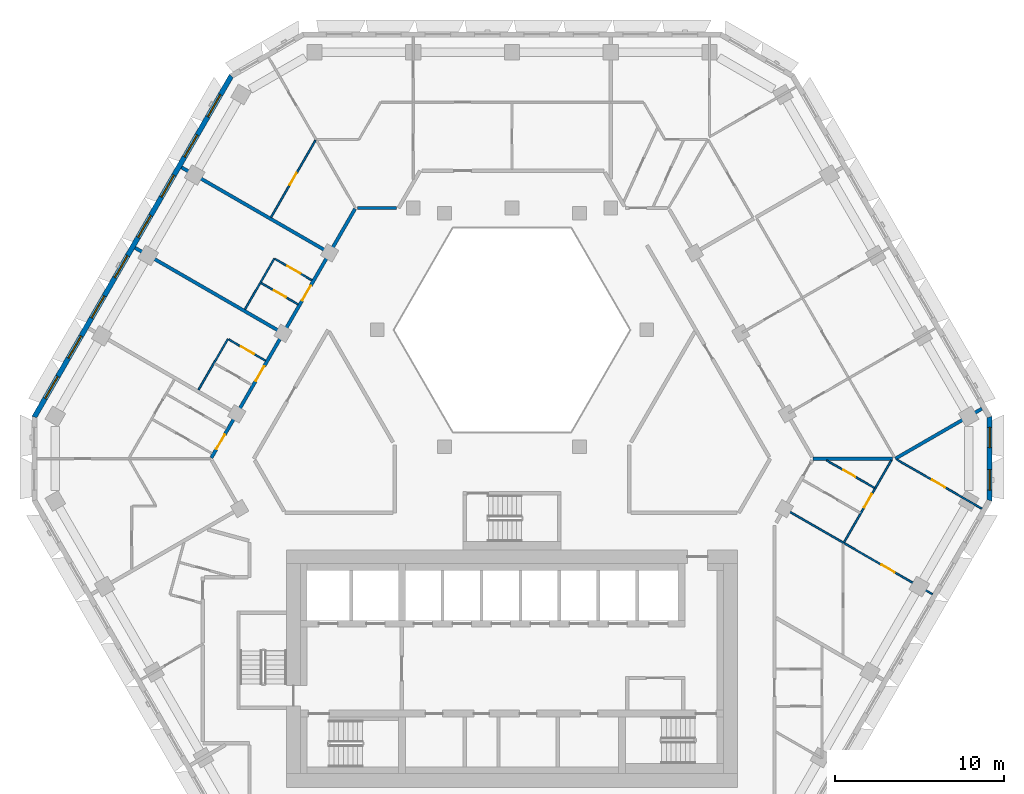
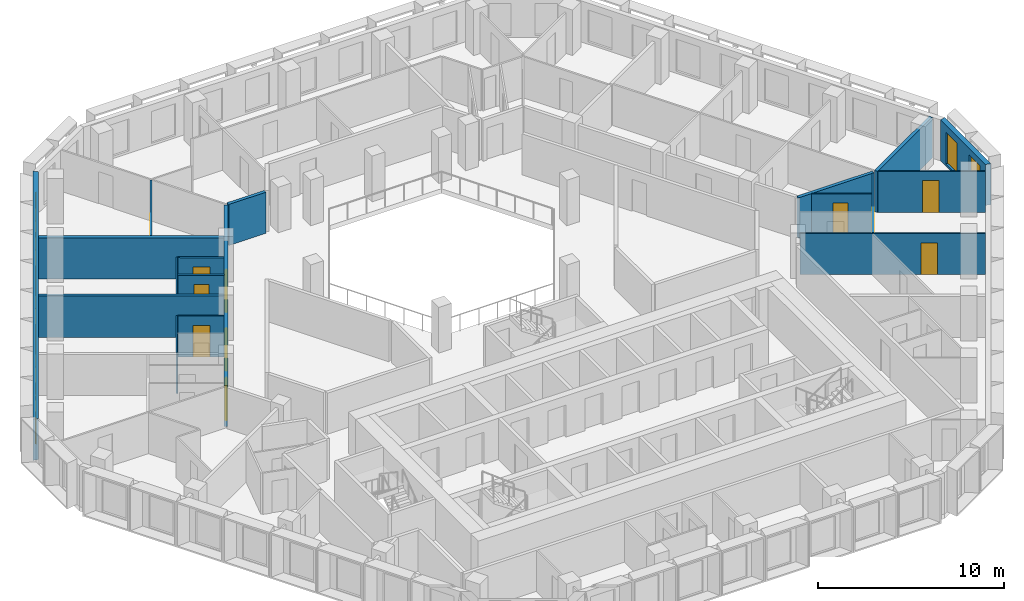
# One storey, part 7 of 17: 18 walls, 11 doors, 10 windows, 21 openings.
"""IFC4 building model written with IfcOpenShell, lengths in metres."""

from ifc_helpers import new_model, si_unit, direction, frame, frame_2d, origin, place, context, subcontext, project, spatial, polyline, rectangle, outline, extrude, material, layer, layer_set, type_object, element, fill, save


model = new_model("IFC4")

# Units and contexts
model_context = context("Model", 3, precision=1e-05, world=origin(), true_north=direction((0.0, 1.0)))
body_context = subcontext(model_context, "Body", "Model", "MODEL_VIEW")
ifc_project = project(units=[si_unit("LENGTHUNIT", "METRE"), si_unit("AREAUNIT", "SQUARE_METRE"), si_unit("VOLUMEUNIT", "CUBIC_METRE"), si_unit("PLANEANGLEUNIT", "RADIAN"), si_unit("MASSUNIT", "GRAM", prefix="KILO")], contexts=[model_context])

# Site, building, storey
site_placement = place(None, origin())
site = spatial("IfcSite", under=ifc_project, at=site_placement, CompositionType="ELEMENT")
building_placement = place(site_placement, origin())
building = spatial("IfcBuilding", under=site, at=building_placement, Name="Beryl Residences", CompositionType="ELEMENT")
storey_placement = place(building_placement, frame((0.0, 0.0, 126.60009765625)))
storey = spatial("IfcBuildingStorey", under=building, at=storey_placement, Name="L38", CompositionType="ELEMENT", Elevation=126.60009765625)

# Wall, openings, windows
ifc_material_1 = material(Name="Composite metal panel with mineral wool insulation")
ifc_layer_1 = layer(ifc_material_1, 0.300048828125)
ifc_layer_set_1 = layer_set([ifc_layer_1], Name="ES1 pale metal composite panel wall 300 mm")
wall_type_1 = type_object("IfcWallType", Name="ES1 pale metal composite panel wall 300 mm", PredefinedType="SOLIDWALL", material=ifc_layer_set_1)
wall_1_placement = place(storey_placement, frame((-16.554931640625, 23.02490234375, 0.0), z_axis=(0.0, 0.0, 1.0), x_axis=(-0.500020536353, -0.866013546791, 0.0)))
wall_1 = element("IfcWall", 1, at=wall_1_placement, inside=storey, type_object=wall_type_1, Name="ES1 external wall L38 NW", PredefinedType="SOLIDWALL", context=body_context, shape_type="SweptSolid", body=[
    extrude(outline(polyline([(0.0, -0.14990234375), (23.3251953125, -0.14990234375), (23.244873046875, 0.14990234375), (0.080322265625, 0.14990234375), (0.0, -0.14990234375)])), origin(), (0.0, 0.0, 1.0), 2.699951171875),
])
opening_1_placement = place(wall_1_placement, frame((1.31396484375, 0.0, 0.14990234375)))
opening_1 = element("IfcOpeningElement", 2, at=opening_1_placement, cuts=wall_1, Name="Opening W1", PredefinedType="OPENING", context=body_context, shape_type="SweptSolid", body=[
    extrude(rectangle(XDim=1.5, YDim=2.10009765625, at=frame_2d((0.75, 1.050048828125))), frame((0.0, 0.159912109375, 0.0), z_axis=(0.0, -1.0, 0.0), x_axis=(1.0, 0.0, 0.0)), (0.0, 0.0, 1.0), 0.320068359375),
])
opening_2_placement = place(wall_1_placement, frame((4.055908203125, 0.0, 0.14990234375)))
opening_2 = element("IfcOpeningElement", 3, at=opening_2_placement, cuts=wall_1, Name="Opening W1", PredefinedType="OPENING", context=body_context, shape_type="SweptSolid", body=[
    extrude(rectangle(XDim=1.5, YDim=2.10009765625, at=frame_2d((0.75, 1.050048828125))), frame((0.0, 0.159912109375, 0.0), z_axis=(0.0, -1.0, 0.0), x_axis=(1.0, 0.0, 0.0)), (0.0, 0.0, 1.0), 0.320068359375),
])
opening_3_placement = place(wall_1_placement, frame((6.799072265625, 0.0, 0.14990234375)))
opening_3 = element("IfcOpeningElement", 4, at=opening_3_placement, cuts=wall_1, Name="Opening W1", PredefinedType="OPENING", context=body_context, shape_type="SweptSolid", body=[
    extrude(rectangle(XDim=1.5, YDim=2.10009765625, at=frame_2d((0.75, 1.050048828125))), frame((0.0, 0.159912109375, 0.0), z_axis=(0.0, -1.0, 0.0), x_axis=(1.0, 0.0, 0.0)), (0.0, 0.0, 1.0), 0.320068359375),
])
opening_4_placement = place(wall_1_placement, frame((9.541015625, 0.0, 0.14990234375)))
opening_4 = element("IfcOpeningElement", 5, at=opening_4_placement, cuts=wall_1, Name="Opening W1", PredefinedType="OPENING", context=body_context, shape_type="SweptSolid", body=[
    extrude(rectangle(XDim=1.5, YDim=2.10009765625, at=frame_2d((0.75, 1.050048828125))), frame((0.0, 0.159912109375, 0.0), z_axis=(0.0, -1.0, 0.0), x_axis=(1.0, 0.0, 0.0)), (0.0, 0.0, 1.0), 0.320068359375),
])
opening_5_placement = place(wall_1_placement, frame((12.284912109375, 0.0, 0.14990234375)))
opening_5 = element("IfcOpeningElement", 6, at=opening_5_placement, cuts=wall_1, Name="Opening W1", PredefinedType="OPENING", context=body_context, shape_type="SweptSolid", body=[
    extrude(rectangle(XDim=1.5, YDim=2.10009765625, at=frame_2d((0.75, 1.050048828125))), frame((0.0, 0.159912109375, 0.0), z_axis=(0.0, -1.0, 0.0), x_axis=(1.0, 0.0, 0.0)), (0.0, 0.0, 1.0), 0.320068359375),
])
opening_6_placement = place(wall_1_placement, frame((15.027099609375, 0.0, 0.14990234375)))
opening_6 = element("IfcOpeningElement", 7, at=opening_6_placement, cuts=wall_1, Name="Opening W1", PredefinedType="OPENING", context=body_context, shape_type="SweptSolid", body=[
    extrude(rectangle(XDim=1.5, YDim=2.10009765625, at=frame_2d((0.75, 1.050048828125))), frame((0.0, 0.159912109375, 0.0), z_axis=(0.0, -1.0, 0.0), x_axis=(1.0, 0.0, 0.0)), (0.0, 0.0, 1.0), 0.320068359375),
])
opening_7_placement = place(wall_1_placement, frame((17.76904296875, 0.0, 0.14990234375)))
opening_7 = element("IfcOpeningElement", 8, at=opening_7_placement, cuts=wall_1, Name="Opening W1", PredefinedType="OPENING", context=body_context, shape_type="SweptSolid", body=[
    extrude(rectangle(XDim=1.5, YDim=2.10009765625, at=frame_2d((0.75, 1.050048828125))), frame((0.0, 0.159912109375, 0.0), z_axis=(0.0, -1.0, 0.0), x_axis=(1.0, 0.0, 0.0)), (0.0, 0.0, 1.0), 0.320068359375),
])
opening_8_placement = place(wall_1_placement, frame((20.511962890625, 0.0, 0.14990234375)))
opening_8 = element("IfcOpeningElement", 9, at=opening_8_placement, cuts=wall_1, Name="Opening W1", PredefinedType="OPENING", context=body_context, shape_type="SweptSolid", body=[
    extrude(rectangle(XDim=1.5, YDim=2.10009765625, at=frame_2d((0.75, 1.050048828125))), frame((0.0, 0.159912109375, 0.0), z_axis=(0.0, -1.0, 0.0), x_axis=(1.0, 0.0, 0.0)), (0.0, 0.0, 1.0), 0.320068359375),
])
ifc_material_2 = material(Name="Aluminium and clear glass", Category="aluminium")
window_type_1 = type_object("IfcWindowType", Name="W1 cell window 1500 x 2100 mm", PartitioningType="SINGLE_PANEL", PredefinedType="WINDOW", material=ifc_material_2)
window_1_placement = place(opening_1_placement, origin())
window_1 = element("IfcWindow", 10, at=window_1_placement, inside=storey, type_object=window_type_1, Name="W1 window L38 NW 1", OverallHeight=2.10009765625, OverallWidth=1.5, PartitioningType="SINGLE_PANEL", PredefinedType="WINDOW", context=body_context, shape_type="SweptSolid", body=[
    extrude(rectangle(XDim=1.5, YDim=2.10009765625, at=frame_2d((0.75, 1.050048828125))), frame((0.0, 0.030029296875, 0.0), z_axis=(0.0, -1.0, 0.0), x_axis=(1.0, 0.0, 0.0)), (0.0, 0.0, 1.0), 0.06005859375),
])
fill(opening_1, window_1)
window_2_placement = place(opening_2_placement, origin())
window_2 = element("IfcWindow", 11, at=window_2_placement, inside=storey, type_object=window_type_1, Name="W1 window L38 NW 2", OverallHeight=2.10009765625, OverallWidth=1.5, PartitioningType="SINGLE_PANEL", PredefinedType="WINDOW", context=body_context, shape_type="SweptSolid", body=[
    extrude(rectangle(XDim=1.5, YDim=2.10009765625, at=frame_2d((0.75, 1.050048828125))), frame((0.0, 0.030029296875, 0.0), z_axis=(0.0, -1.0, 0.0), x_axis=(1.0, 0.0, 0.0)), (0.0, 0.0, 1.0), 0.06005859375),
])
fill(opening_2, window_2)
window_3_placement = place(opening_3_placement, origin())
window_3 = element("IfcWindow", 12, at=window_3_placement, inside=storey, type_object=window_type_1, Name="W1 window L38 NW 3", OverallHeight=2.10009765625, OverallWidth=1.5, PartitioningType="SINGLE_PANEL", PredefinedType="WINDOW", context=body_context, shape_type="SweptSolid", body=[
    extrude(rectangle(XDim=1.5, YDim=2.10009765625, at=frame_2d((0.75, 1.050048828125))), frame((0.0, 0.030029296875, 0.0), z_axis=(0.0, -1.0, 0.0), x_axis=(1.0, 0.0, 0.0)), (0.0, 0.0, 1.0), 0.06005859375),
])
fill(opening_3, window_3)
window_4_placement = place(opening_4_placement, origin())
window_4 = element("IfcWindow", 13, at=window_4_placement, inside=storey, type_object=window_type_1, Name="W1 window L38 NW 4", OverallHeight=2.10009765625, OverallWidth=1.5, PartitioningType="SINGLE_PANEL", PredefinedType="WINDOW", context=body_context, shape_type="SweptSolid", body=[
    extrude(rectangle(XDim=1.5, YDim=2.10009765625, at=frame_2d((0.75, 1.050048828125))), frame((0.0, 0.030029296875, 0.0), z_axis=(0.0, -1.0, 0.0), x_axis=(1.0, 0.0, 0.0)), (0.0, 0.0, 1.0), 0.06005859375),
])
fill(opening_4, window_4)
window_5_placement = place(opening_5_placement, origin())
window_5 = element("IfcWindow", 14, at=window_5_placement, inside=storey, type_object=window_type_1, Name="W1 window L38 NW 5", OverallHeight=2.10009765625, OverallWidth=1.5, PartitioningType="SINGLE_PANEL", PredefinedType="WINDOW", context=body_context, shape_type="SweptSolid", body=[
    extrude(rectangle(XDim=1.5, YDim=2.10009765625, at=frame_2d((0.75, 1.050048828125))), frame((0.0, 0.030029296875, 0.0), z_axis=(0.0, -1.0, 0.0), x_axis=(1.0, 0.0, 0.0)), (0.0, 0.0, 1.0), 0.06005859375),
])
fill(opening_5, window_5)
window_6_placement = place(opening_6_placement, origin())
window_6 = element("IfcWindow", 15, at=window_6_placement, inside=storey, type_object=window_type_1, Name="W1 window L38 NW 6", OverallHeight=2.10009765625, OverallWidth=1.5, PartitioningType="SINGLE_PANEL", PredefinedType="WINDOW", context=body_context, shape_type="SweptSolid", body=[
    extrude(rectangle(XDim=1.5, YDim=2.10009765625, at=frame_2d((0.75, 1.050048828125))), frame((0.0, 0.030029296875, 0.0), z_axis=(0.0, -1.0, 0.0), x_axis=(1.0, 0.0, 0.0)), (0.0, 0.0, 1.0), 0.06005859375),
])
fill(opening_6, window_6)
window_7_placement = place(opening_7_placement, origin())
window_7 = element("IfcWindow", 16, at=window_7_placement, inside=storey, type_object=window_type_1, Name="W1 window L38 NW 7", OverallHeight=2.10009765625, OverallWidth=1.5, PartitioningType="SINGLE_PANEL", PredefinedType="WINDOW", context=body_context, shape_type="SweptSolid", body=[
    extrude(rectangle(XDim=1.5, YDim=2.10009765625, at=frame_2d((0.75, 1.050048828125))), frame((0.0, 0.030029296875, 0.0), z_axis=(0.0, -1.0, 0.0), x_axis=(1.0, 0.0, 0.0)), (0.0, 0.0, 1.0), 0.06005859375),
])
fill(opening_7, window_7)
window_8_placement = place(opening_8_placement, origin())
window_8 = element("IfcWindow", 17, at=window_8_placement, inside=storey, type_object=window_type_1, Name="W1 window L38 NW 8", OverallHeight=2.10009765625, OverallWidth=1.5, PartitioningType="SINGLE_PANEL", PredefinedType="WINDOW", context=body_context, shape_type="SweptSolid", body=[
    extrude(rectangle(XDim=1.5, YDim=2.10009765625, at=frame_2d((0.75, 1.050048828125))), frame((0.0, 0.030029296875, 0.0), z_axis=(0.0, -1.0, 0.0), x_axis=(1.0, 0.0, 0.0)), (0.0, 0.0, 1.0), 0.06005859375),
])
fill(opening_8, window_8)

wall_2_placement = place(storey_placement, frame((28.197998046875, -2.10009765625, 0.0), z_axis=(0.0, 0.0, 1.0), x_axis=(0.0, 1.0, 0.0)))
wall_2 = element("IfcWall", 18, at=wall_2_placement, inside=storey, type_object=wall_type_1, Name="ES1 external wall L38 SE-NE", PredefinedType="SOLIDWALL", context=body_context, shape_type="SweptSolid", body=[
    extrude(outline(polyline([(0.0, -0.14990234375), (5.0, -0.14990234375), (4.919677734375, 0.14990234375), (0.080322265625, 0.14990234375), (0.0, -0.14990234375)])), origin(), (0.0, 0.0, 1.0), 2.699951171875),
])
opening_9_placement = place(wall_2_placement, frame((0.64990234375, 0.0, 0.14990234375)))
opening_9 = element("IfcOpeningElement", 19, at=opening_9_placement, cuts=wall_2, Name="Opening W2", PredefinedType="OPENING", context=body_context, shape_type="SweptSolid", body=[
    extrude(rectangle(XDim=1.199951171875, YDim=2.10009765625, at=frame_2d((0.60009765625, 1.050048828125))), frame((0.0, 0.159912109375, 0.0), z_axis=(0.0, -1.0, 0.0), x_axis=(1.0, 0.0, 0.0)), (0.0, 0.0, 1.0), 0.320068359375),
])
opening_10_placement = place(wall_2_placement, frame((3.14990234375, 0.0, 0.14990234375)))
opening_10 = element("IfcOpeningElement", 20, at=opening_10_placement, cuts=wall_2, Name="Opening W2", PredefinedType="OPENING", context=body_context, shape_type="SweptSolid", body=[
    extrude(rectangle(XDim=1.199951171875, YDim=2.10009765625, at=frame_2d((0.60009765625, 1.050048828125))), frame((0.0, 0.159912109375, 0.0), z_axis=(0.0, -1.0, 0.0), x_axis=(1.0, 0.0, 0.0)), (0.0, 0.0, 1.0), 0.320068359375),
])
ifc_material_3 = material(Name="Aluminium and clear glass", Category="aluminium")
window_type_2 = type_object("IfcWindowType", Name="W2 chamfer window 1200 x 2100 mm", PartitioningType="SINGLE_PANEL", PredefinedType="WINDOW", material=ifc_material_3)
window_9_placement = place(opening_9_placement, origin())
window_9 = element("IfcWindow", 21, at=window_9_placement, inside=storey, type_object=window_type_2, Name="W2 window L38 SE-NE 1", OverallHeight=2.10009765625, OverallWidth=1.199951171875, PartitioningType="SINGLE_PANEL", PredefinedType="WINDOW", context=body_context, shape_type="SweptSolid", body=[
    extrude(rectangle(XDim=1.199951171875, YDim=2.10009765625, at=frame_2d((0.60009765625, 1.050048828125))), frame((0.0, 0.030029296875, 0.0), z_axis=(0.0, -1.0, 0.0), x_axis=(1.0, 0.0, 0.0)), (0.0, 0.0, 1.0), 0.06005859375),
])
fill(opening_9, window_9)
window_10_placement = place(opening_10_placement, origin())
window_10 = element("IfcWindow", 22, at=window_10_placement, inside=storey, type_object=window_type_2, Name="W2 window L38 SE-NE 2", OverallHeight=2.10009765625, OverallWidth=1.199951171875, PartitioningType="SINGLE_PANEL", PredefinedType="WINDOW", context=body_context, shape_type="SweptSolid", body=[
    extrude(rectangle(XDim=1.199951171875, YDim=2.10009765625, at=frame_2d((0.60009765625, 1.050048828125))), frame((0.0, 0.030029296875, 0.0), z_axis=(0.0, -1.0, 0.0), x_axis=(1.0, 0.0, 0.0)), (0.0, 0.0, 1.0), 0.06005859375),
])
fill(opening_10, window_10)

# Wall, opening, door
ifc_material_4 = material(Name="Gypsum board partition on steel studs", Category="steel")
ifc_layer_2 = layer(ifc_material_4, 0.10009765625)
ifc_layer_set_2 = layer_set([ifc_layer_2], Name="PT1 partition 100 mm gypsum board on steel studs")
wall_type_2 = type_object("IfcWallType", Name="PT1 partition 100 mm gypsum board on steel studs", PredefinedType="PARTITIONING", material=ifc_layer_set_2)
wall_3_placement = place(storey_placement, frame((-16.72900390625, 7.44189453125, 0.0), z_axis=(0.0, 0.0, 1.0), x_axis=(0.865983051302, -0.500073349477, 0.0)))
wall_3 = element("IfcWall", 23, at=wall_3_placement, inside=storey, type_object=wall_type_2, Name="Wall PT1 L38 015", PredefinedType="PARTITIONING", context=body_context, shape_type="SweptSolid", body=[
    extrude(rectangle(XDim=2.50927734375, YDim=0.10009765625, at=frame_2d((1.254638671875, 0.0))), origin(), (0.0, 0.0, 1.0), 2.699951171875),
])
opening_11_placement = place(wall_3_placement, frame((0.8291015625, 0.0, 0.0)))
opening_11 = element("IfcOpeningElement", 24, at=opening_11_placement, cuts=wall_3, Name="Opening D1019", PredefinedType="OPENING", context=body_context, shape_type="SweptSolid", body=[
    extrude(rectangle(XDim=0.89990234375, YDim=2.10009765625, at=frame_2d((0.449951171875, 1.050048828125))), frame((0.0, 0.06005859375, 0.0), z_axis=(0.0, -1.0, 0.0), x_axis=(1.0, 0.0, 0.0)), (0.0, 0.0, 1.0), 0.1201171875),
])
ifc_material_5 = material(Name="Timber door leaf", Category="wood")
door_type_1 = type_object("IfcDoorType", Name="D2 room door 900 x 2100 mm", OperationType="SINGLE_SWING_LEFT", PredefinedType="DOOR", material=ifc_material_5)
door_1_placement = place(opening_11_placement, origin())
door_1 = element("IfcDoor", 25, at=door_1_placement, inside=storey, type_object=door_type_1, Name="Door D1019 L38 001", OperationType="SINGLE_SWING_LEFT", OverallHeight=2.10009765625, OverallWidth=0.89990234375, PredefinedType="DOOR", context=body_context, shape_type="SweptSolid", body=[
    extrude(rectangle(XDim=0.89990234375, YDim=2.10009765625, at=frame_2d((0.449951171875, 1.050048828125))), frame((0.0, 0.02490234375, 0.0), z_axis=(0.0, -1.0, 0.0), x_axis=(1.0, 0.0, 0.0)), (0.0, 0.0, 1.0), 0.050048828125),
])
fill(opening_11, door_1)

wall_4_placement = place(storey_placement, frame((-13.987060546875, 12.19189453125, 0.0), z_axis=(0.0, 0.0, 1.0), x_axis=(0.865983051302, -0.500073349477, 0.0)))
wall_4 = element("IfcWall", 26, at=wall_4_placement, inside=storey, type_object=wall_type_2, Name="Wall PT1 L38 016", PredefinedType="PARTITIONING", context=body_context, shape_type="SweptSolid", body=[
    extrude(rectangle(XDim=2.50927734375, YDim=0.10009765625, at=frame_2d((1.254638671875, 0.0))), origin(), (0.0, 0.0, 1.0), 2.699951171875),
])
opening_12_placement = place(wall_4_placement, frame((0.8291015625, 0.0, 0.0)))
opening_12 = element("IfcOpeningElement", 27, at=opening_12_placement, cuts=wall_4, Name="Opening D1016", PredefinedType="OPENING", context=body_context, shape_type="SweptSolid", body=[
    extrude(rectangle(XDim=0.89990234375, YDim=2.10009765625, at=frame_2d((0.449951171875, 1.050048828125))), frame((0.0, 0.06005859375, 0.0), z_axis=(0.0, -1.0, 0.0), x_axis=(1.0, 0.0, 0.0)), (0.0, 0.0, 1.0), 0.1201171875),
])
door_2_placement = place(opening_12_placement, origin())
door_2 = element("IfcDoor", 28, at=door_2_placement, inside=storey, type_object=door_type_1, Name="Door D1016 L38 001", OperationType="SINGLE_SWING_RIGHT", OverallHeight=2.10009765625, OverallWidth=0.89990234375, PredefinedType="DOOR", context=body_context, shape_type="SweptSolid", body=[
    extrude(rectangle(XDim=0.89990234375, YDim=2.10009765625, at=frame_2d((0.449951171875, 1.050048828125))), frame((0.0, 0.02490234375, 0.0), z_axis=(0.0, -1.0, 0.0), x_axis=(1.0, 0.0, 0.0)), (0.0, 0.0, 1.0), 0.050048828125),
])
fill(opening_12, door_2)

wall_5_placement = place(storey_placement, frame((16.1650390625, -2.60107421875, 0.0), z_axis=(0.0, 0.0, 1.0), x_axis=(0.866016855193, -0.500014806302, 0.0)))
wall_5 = element("IfcWall", 29, at=wall_5_placement, inside=storey, type_object=wall_type_2, Name="Wall PT1 L38 017", PredefinedType="PARTITIONING", context=body_context, shape_type="SweptSolid", body=[
    extrude(rectangle(XDim=9.999755859375, YDim=0.10009765625, at=frame_2d((5.0, 0.0))), origin(), (0.0, 0.0, 1.0), 2.699951171875),
])
opening_13_placement = place(wall_5_placement, frame((6.52392578125, 0.0, 0.0)))
opening_13 = element("IfcOpeningElement", 30, at=opening_13_placement, cuts=wall_5, Name="Opening D1046", PredefinedType="OPENING", context=body_context, shape_type="SweptSolid", body=[
    extrude(rectangle(XDim=0.89990234375, YDim=2.10009765625, at=frame_2d((0.449951171875, 1.050048828125))), frame((0.0, 0.06005859375, 0.0), z_axis=(0.0, -1.0, 0.0), x_axis=(1.0, 0.0, 0.0)), (0.0, 0.0, 1.0), 0.1201171875),
])
door_3_placement = place(opening_13_placement, origin())
door_3 = element("IfcDoor", 31, at=door_3_placement, inside=storey, type_object=door_type_1, Name="Door D1046 L38 001", OperationType="SINGLE_SWING_RIGHT", OverallHeight=2.10009765625, OverallWidth=0.89990234375, PredefinedType="DOOR", context=body_context, shape_type="SweptSolid", body=[
    extrude(rectangle(XDim=0.89990234375, YDim=2.10009765625, at=frame_2d((0.449951171875, 1.050048828125))), frame((0.0, 0.02490234375, 0.0), z_axis=(0.0, -1.0, 0.0), x_axis=(1.0, 0.0, 0.0)), (0.0, 0.0, 1.0), 0.050048828125),
])
fill(opening_13, door_3)

wall_6_placement = place(storey_placement, frame((18.568115234375, 0.301025390625, 0.0), z_axis=(0.0, 0.0, 1.0), x_axis=(0.867155675456, -0.49803718187, 0.0)))
wall_6 = element("IfcWall", 32, at=wall_6_placement, inside=storey, type_object=wall_type_2, Name="Wall PT1 L38 019", PredefinedType="PARTITIONING", context=body_context, shape_type="SweptSolid", body=[
    extrude(rectangle(XDim=3.266845703125, YDim=0.10009765625, at=frame_2d((1.63330078125, 0.0))), origin(), (0.0, 0.0, 1.0), 2.699951171875),
])
opening_14_placement = place(wall_6_placement, frame((1.157958984375, 0.0, 0.0)))
opening_14 = element("IfcOpeningElement", 33, at=opening_14_placement, cuts=wall_6, Name="Opening D1044", PredefinedType="OPENING", context=body_context, shape_type="SweptSolid", body=[
    extrude(rectangle(XDim=0.800048828125, YDim=2.10009765625, at=frame_2d((0.39990234375, 1.050048828125))), frame((0.0, 0.06005859375, 0.0), z_axis=(0.0, -1.0, 0.0), x_axis=(1.0, 0.0, 0.0)), (0.0, 0.0, 1.0), 0.1201171875),
])
ifc_material_6 = material(Name="Timber door leaf", Category="wood")
door_type_2 = type_object("IfcDoorType", Name="D3 bathroom door 800 x 2100 mm", OperationType="SINGLE_SWING_LEFT", PredefinedType="DOOR", material=ifc_material_6)
door_4_placement = place(opening_14_placement, origin())
door_4 = element("IfcDoor", 34, at=door_4_placement, inside=storey, type_object=door_type_2, Name="Door D1044 L38 001", OperationType="SINGLE_SWING_RIGHT", OverallHeight=2.10009765625, OverallWidth=0.800048828125, PredefinedType="DOOR", context=body_context, shape_type="SweptSolid", body=[
    extrude(rectangle(XDim=0.800048828125, YDim=2.10009765625, at=frame_2d((0.39990234375, 1.050048828125))), frame((0.0, 0.02490234375, 0.0), z_axis=(0.0, -1.0, 0.0), x_axis=(1.0, 0.0, 0.0)), (0.0, 0.0, 1.0), 0.050048828125),
])
fill(opening_14, door_4)

wall_7_placement = place(storey_placement, frame((22.72900390625, 0.343017578125, 0.0), z_axis=(0.0, 0.0, 1.0), x_axis=(0.865996608848, -0.500049870977, 0.0)))
wall_7 = element("IfcWall", 35, at=wall_7_placement, inside=storey, type_object=wall_type_2, Name="Wall PT1 L38 020", PredefinedType="PARTITIONING", context=body_context, shape_type="SweptSolid", body=[
    extrude(rectangle(XDim=5.78759765625, YDim=0.10009765625, at=frame_2d((2.893798828125, 0.0))), origin(), (0.0, 0.0, 1.0), 2.699951171875),
])
opening_15_placement = place(wall_7_placement, frame((2.385986328125, 0.0, 0.0)))
opening_15 = element("IfcOpeningElement", 36, at=opening_15_placement, cuts=wall_7, Name="Opening D1047", PredefinedType="OPENING", context=body_context, shape_type="SweptSolid", body=[
    extrude(rectangle(XDim=0.89990234375, YDim=2.10009765625, at=frame_2d((0.449951171875, 1.050048828125))), frame((0.0, 0.06005859375, 0.0), z_axis=(0.0, -1.0, 0.0), x_axis=(1.0, 0.0, 0.0)), (0.0, 0.0, 1.0), 0.1201171875),
])
door_5_placement = place(opening_15_placement, origin())
door_5 = element("IfcDoor", 37, at=door_5_placement, inside=storey, type_object=door_type_1, Name="Door D1047 L38 001", OperationType="SINGLE_SWING_LEFT", OverallHeight=2.10009765625, OverallWidth=0.89990234375, PredefinedType="DOOR", context=body_context, shape_type="SweptSolid", body=[
    extrude(rectangle(XDim=0.89990234375, YDim=2.10009765625, at=frame_2d((0.449951171875, 1.050048828125))), frame((0.0, 0.02490234375, 0.0), z_axis=(0.0, -1.0, 0.0), x_axis=(1.0, 0.0, 0.0)), (0.0, 0.0, 1.0), 0.050048828125),
])
fill(opening_15, door_5)

wall_8_placement = place(storey_placement, frame((-14.81005859375, 10.76708984375, 0.0), z_axis=(0.0, 0.0, 1.0), x_axis=(0.866038211682, -0.499977815414, 0.0)))
wall_8 = element("IfcWall", 38, at=wall_8_placement, inside=storey, type_object=wall_type_2, Name="Wall PT1 L38 021", PredefinedType="PARTITIONING", context=body_context, shape_type="SweptSolid", body=[
    extrude(rectangle(XDim=2.51025390625, YDim=0.10009765625, at=frame_2d((1.255126953125, 0.0))), origin(), (0.0, 0.0, 1.0), 2.699951171875),
])
opening_16_placement = place(wall_8_placement, frame((0.8798828125, 0.0, 0.0)))
opening_16 = element("IfcOpeningElement", 39, at=opening_16_placement, cuts=wall_8, Name="Opening D1017", PredefinedType="OPENING", context=body_context, shape_type="SweptSolid", body=[
    extrude(rectangle(XDim=0.800048828125, YDim=2.10009765625, at=frame_2d((0.39990234375, 1.050048828125))), frame((0.0, 0.06005859375, 0.0), z_axis=(0.0, -1.0, 0.0), x_axis=(1.0, 0.0, 0.0)), (0.0, 0.0, 1.0), 0.1201171875),
])
door_6_placement = place(opening_16_placement, origin())
door_6 = element("IfcDoor", 40, at=door_6_placement, inside=storey, type_object=door_type_2, Name="Door D1017 L38 001", OperationType="SINGLE_SWING_LEFT", OverallHeight=2.10009765625, OverallWidth=0.800048828125, PredefinedType="DOOR", context=body_context, shape_type="SweptSolid", body=[
    extrude(rectangle(XDim=0.800048828125, YDim=2.10009765625, at=frame_2d((0.39990234375, 1.050048828125))), frame((0.0, 0.02490234375, 0.0), z_axis=(0.0, -1.0, 0.0), x_axis=(1.0, 0.0, 0.0)), (0.0, 0.0, 1.0), 0.050048828125),
])
fill(opening_16, door_6)

wall_9_placement = place(storey_placement, frame((19.60791015625, -4.531005859375, 0.0), z_axis=(0.0, 0.0, 1.0), x_axis=(0.500035555316, 0.86600487494, 0.0)))
wall_9 = element("IfcWall", 41, at=wall_9_placement, inside=storey, type_object=wall_type_2, Name="Wall PT1 L38 031", PredefinedType="PARTITIONING", context=body_context, shape_type="SweptSolid", body=[
    extrude(rectangle(XDim=5.57958984375, YDim=0.10009765625, at=frame_2d((2.789794921875, 0.0))), origin(), (0.0, 0.0, 1.0), 2.699951171875),
])
opening_17_placement = place(wall_9_placement, frame((2.3720703125, 0.0, 0.0)))
opening_17 = element("IfcOpeningElement", 42, at=opening_17_placement, cuts=wall_9, Name="Opening D1045", PredefinedType="OPENING", context=body_context, shape_type="SweptSolid", body=[
    extrude(rectangle(XDim=0.89990234375, YDim=2.10009765625, at=frame_2d((0.449951171875, 1.050048828125))), frame((0.0, 0.06005859375, 0.0), z_axis=(0.0, -1.0, 0.0), x_axis=(1.0, 0.0, 0.0)), (0.0, 0.0, 1.0), 0.1201171875),
])
door_7_placement = place(opening_17_placement, origin())
door_7 = element("IfcDoor", 43, at=door_7_placement, inside=storey, type_object=door_type_1, Name="Door D1045 L38 001", OperationType="SINGLE_SWING_LEFT", OverallHeight=2.10009765625, OverallWidth=0.89990234375, PredefinedType="DOOR", context=body_context, shape_type="SweptSolid", body=[
    extrude(rectangle(XDim=0.89990234375, YDim=2.10009765625, at=frame_2d((0.449951171875, 1.050048828125))), frame((0.0, 0.02490234375, 0.0), z_axis=(0.0, -1.0, 0.0), x_axis=(1.0, 0.0, 0.0)), (0.0, 0.0, 1.0), 0.050048828125),
])
fill(opening_17, door_7)

# Walls
wall_10_placement = place(storey_placement, frame((-18.506103515625, 4.466064453125, 0.0), z_axis=(0.0, 0.0, 1.0), x_axis=(0.500027479704, 0.866009537788, 0.0)))
element("IfcWall", 44, at=wall_10_placement, inside=storey, type_object=wall_type_2, Name="Wall PT1 L38 033", PredefinedType="PARTITIONING", context=body_context, shape_type="SweptSolid", body=[
    extrude(rectangle(XDim=3.464111328125, YDim=0.10009765625, at=frame_2d((1.73193359375, 0.0))), origin(), (0.0, 0.0, 1.0), 2.699951171875),
])
wall_11_placement = place(storey_placement, frame((-15.762939453125, 9.217041015625, 0.0), z_axis=(0.0, 0.0, 1.0), x_axis=(0.500096714907, 0.865969558206, 0.0)))
element("IfcWall", 45, at=wall_11_placement, inside=storey, type_object=wall_type_2, Name="Wall PT1 L38 034", PredefinedType="PARTITIONING", context=body_context, shape_type="SweptSolid", body=[
    extrude(rectangle(XDim=3.463134765625, YDim=0.10009765625, at=frame_2d((1.7314453125, 0.0))), origin(), (0.0, 0.0, 1.0), 2.699951171875),
])

# Wall, opening, door
wall_12_placement = place(storey_placement, frame((-14.221923828125, 14.658935546875, 0.0), z_axis=(0.0, 0.0, 1.0), x_axis=(0.500053212623, 0.865994679283, 0.0)))
wall_12 = element("IfcWall", 46, at=wall_12_placement, inside=storey, type_object=wall_type_2, Name="Wall PT1 L38 035", PredefinedType="PARTITIONING", context=body_context, shape_type="SweptSolid", body=[
    extrude(rectangle(XDim=5.2392578125, YDim=0.10009765625, at=frame_2d((2.61962890625, 0.0))), origin(), (0.0, 0.0, 1.0), 2.699951171875),
])
opening_18_placement = place(wall_12_placement, frame((2.197998046875, 0.0, 0.0)))
opening_18 = element("IfcOpeningElement", 47, at=opening_18_placement, cuts=wall_12, Name="Opening D1014", PredefinedType="OPENING", context=body_context, shape_type="SweptSolid", body=[
    extrude(rectangle(XDim=0.800048828125, YDim=2.10009765625, at=frame_2d((0.39990234375, 1.050048828125))), frame((0.0, 0.06005859375, 0.0), z_axis=(0.0, -1.0, 0.0), x_axis=(1.0, 0.0, 0.0)), (0.0, 0.0, 1.0), 0.1201171875),
])
door_8_placement = place(opening_18_placement, origin())
door_8 = element("IfcDoor", 48, at=door_8_placement, inside=storey, type_object=door_type_2, Name="Door D1014 L38 001", OperationType="SINGLE_SWING_RIGHT", OverallHeight=2.10009765625, OverallWidth=0.800048828125, PredefinedType="DOOR", context=body_context, shape_type="SweptSolid", body=[
    extrude(rectangle(XDim=0.800048828125, YDim=2.10009765625, at=frame_2d((0.39990234375, 1.050048828125))), frame((0.0, 0.02490234375, 0.0), z_axis=(0.0, -1.0, 0.0), x_axis=(1.0, 0.0, 0.0)), (0.0, 0.0, 1.0), 0.050048828125),
])
fill(opening_18, door_8)

# Walls
ifc_material_7 = material(Name="Acoustic double stud gypsum board wall")
ifc_layer_3 = layer(ifc_material_7, 0.199951171875)
ifc_layer_set_3 = layer_set([ifc_layer_3], Name="PT3 party wall 200 mm acoustic double stud")
wall_type_3 = type_object("IfcWallType", Name="PT3 party wall 200 mm acoustic double stud", PredefinedType="PARTITIONING", material=ifc_layer_set_3)
wall_13_placement = place(storey_placement, frame((-22.257080078125, 12.85009765625, 0.0), z_axis=(0.0, 0.0, 1.0), x_axis=(0.866047370643, -0.499961950354, 0.0)))
element("IfcWall", 49, at=wall_13_placement, inside=storey, type_object=wall_type_3, Name="Wall PT3 L38 003", PredefinedType="PARTITIONING", context=body_context, shape_type="SweptSolid", body=[
    extrude(rectangle(XDim=10.000732421875, YDim=0.199951171875, at=frame_2d((5.00048828125, 0.0))), origin(), (0.0, 0.0, 1.0), 2.699951171875),
])
wall_14_placement = place(storey_placement, frame((-19.513916015625, 17.59912109375, 0.0), z_axis=(0.0, 0.0, 1.0), x_axis=(0.866059142644, -0.499941558027, 0.0)))
element("IfcWall", 50, at=wall_14_placement, inside=storey, type_object=wall_type_3, Name="Wall PT3 L38 005", PredefinedType="PARTITIONING", context=body_context, shape_type="SweptSolid", body=[
    extrude(rectangle(XDim=9.999267578125, YDim=0.199951171875, at=frame_2d((4.99951171875, 0.0))), origin(), (0.0, 0.0, 1.0), 2.699951171875),
])
wall_15_placement = place(storey_placement, frame((17.781982421875, 0.40087890625, 0.0), z_axis=(0.0, 0.0, 1.0), x_axis=(1.0, 0.0, 0.0)))
element("IfcWall", 51, at=wall_15_placement, inside=storey, type_object=wall_type_3, Name="Wall PT3 L38 006", PredefinedType="PARTITIONING", context=body_context, shape_type="SweptSolid", body=[
    extrude(rectangle(XDim=4.674072265625, YDim=0.199951171875, at=frame_2d((2.3369140625, 0.0))), origin(), (0.0, 0.0, 1.0), 2.699951171875),
])
wall_16_placement = place(storey_placement, frame((22.634033203125, 0.40087890625, 0.0), z_axis=(0.0, 0.0, 1.0), x_axis=(0.86601325737, 0.500021037617, 0.0)))
element("IfcWall", 52, at=wall_16_placement, inside=storey, type_object=wall_type_3, Name="Wall PT3 L38 010", PredefinedType="PARTITIONING", context=body_context, shape_type="SweptSolid", body=[
    extrude(rectangle(XDim=5.898193359375, YDim=0.199951171875, at=frame_2d((2.94921875, 0.0))), origin(), (0.0, 0.0, 1.0), 2.699951171875),
])
ifc_material_8 = material(Name="Double stud gypsum board wall")
ifc_layer_4 = layer(ifc_material_8, 0.199951171875)
ifc_layer_set_4 = layer_set([ifc_layer_4], Name="PT4 corridor wall 200 mm double stud")
wall_type_4 = type_object("IfcWallType", Name="PT4 corridor wall 200 mm double stud", PredefinedType="PARTITIONING", material=ifc_layer_set_4)
wall_17_placement = place(storey_placement, frame((-9.12109375, 15.199951171875, 0.0), z_axis=(0.0, 0.0, 1.0), x_axis=(1.0, 0.0, 0.0)))
element("IfcWall", 53, at=wall_17_placement, inside=storey, type_object=wall_type_4, Name="Wall PT4 L38 014", PredefinedType="PARTITIONING", context=body_context, shape_type="SweptSolid", body=[
    extrude(rectangle(XDim=2.30810546875, YDim=0.199951171875, at=frame_2d((1.154052734375, 0.0))), origin(), (0.0, 0.0, 1.0), 2.699951171875),
])

# Wall, openings, doors
wall_18_placement = place(storey_placement, frame((-17.7529296875, 0.449951171875, 0.0), z_axis=(0.0, 0.0, 1.0), x_axis=(0.499990970252, 0.866030617049, 0.0)))
wall_18 = element("IfcWall", 54, at=wall_18_placement, inside=storey, type_object=wall_type_4, Name="Wall PT4 L38 022", PredefinedType="PARTITIONING", context=body_context, shape_type="SweptSolid", body=[
    extrude(rectangle(XDim=16.973876953125, YDim=0.199951171875, at=frame_2d((8.48681640625, 0.0))), origin(), (0.0, 0.0, 1.0), 2.699951171875),
])
opening_19_placement = place(wall_18_placement, frame((10.72998046875, 0.0, 0.0)))
opening_19 = element("IfcOpeningElement", 55, at=opening_19_placement, cuts=wall_18, Name="Opening D1015", PredefinedType="OPENING", context=body_context, shape_type="SweptSolid", body=[
    extrude(rectangle(XDim=1.0, YDim=2.10009765625, at=frame_2d((0.5, 1.050048828125))), frame((0.0, 0.10986328125, 0.0), z_axis=(0.0, -1.0, 0.0), x_axis=(1.0, 0.0, 0.0)), (0.0, 0.0, 1.0), 0.219970703125),
])
opening_20_placement = place(wall_18_placement, frame((5.2451171875, 0.0, 0.0)))
opening_20 = element("IfcOpeningElement", 56, at=opening_20_placement, cuts=wall_18, Name="Opening D1018", PredefinedType="OPENING", context=body_context, shape_type="SweptSolid", body=[
    extrude(rectangle(XDim=1.0, YDim=2.10009765625, at=frame_2d((0.5, 1.050048828125))), frame((0.0, 0.10986328125, 0.0), z_axis=(0.0, -1.0, 0.0), x_axis=(1.0, 0.0, 0.0)), (0.0, 0.0, 1.0), 0.219970703125),
])
opening_21_placement = place(wall_18_placement, frame((0.593994140625, 0.0, 0.0)))
opening_21 = element("IfcOpeningElement", 57, at=opening_21_placement, cuts=wall_18, Name="Opening D1021", PredefinedType="OPENING", context=body_context, shape_type="SweptSolid", body=[
    extrude(rectangle(XDim=1.0, YDim=2.10009765625, at=frame_2d((0.5, 1.050048828125))), frame((0.0, 0.10986328125, 0.0), z_axis=(0.0, -1.0, 0.0), x_axis=(1.0, 0.0, 0.0)), (0.0, 0.0, 1.0), 0.219970703125),
])
ifc_material_9 = material(Name="Timber door leaf", Category="wood")
door_type_3 = type_object("IfcDoorType", Name="D1 flat entrance door 1000 x 2100 mm", OperationType="SINGLE_SWING_LEFT", PredefinedType="DOOR", material=ifc_material_9)
door_9_placement = place(opening_19_placement, origin())
door_9 = element("IfcDoor", 58, at=door_9_placement, inside=storey, type_object=door_type_3, Name="Door D1015 L38 001", OperationType="SINGLE_SWING_LEFT", OverallHeight=2.10009765625, OverallWidth=1.0, PredefinedType="DOOR", context=body_context, shape_type="SweptSolid", body=[
    extrude(rectangle(XDim=1.0, YDim=2.10009765625, at=frame_2d((0.5, 1.050048828125))), frame((0.0, 0.02490234375, 0.0), z_axis=(0.0, -1.0, 0.0), x_axis=(1.0, 0.0, 0.0)), (0.0, 0.0, 1.0), 0.050048828125),
])
fill(opening_19, door_9)
door_10_placement = place(opening_20_placement, origin())
door_10 = element("IfcDoor", 59, at=door_10_placement, inside=storey, type_object=door_type_3, Name="Door D1018 L38 001", OperationType="SINGLE_SWING_RIGHT", OverallHeight=2.10009765625, OverallWidth=1.0, PredefinedType="DOOR", context=body_context, shape_type="SweptSolid", body=[
    extrude(rectangle(XDim=1.0, YDim=2.10009765625, at=frame_2d((0.5, 1.050048828125))), frame((0.0, 0.02490234375, 0.0), z_axis=(0.0, -1.0, 0.0), x_axis=(1.0, 0.0, 0.0)), (0.0, 0.0, 1.0), 0.050048828125),
])
fill(opening_20, door_10)
door_11_placement = place(opening_21_placement, origin())
door_11 = element("IfcDoor", 60, at=door_11_placement, inside=storey, type_object=door_type_3, Name="Door D1021 L38 001", OperationType="SINGLE_SWING_LEFT", OverallHeight=2.10009765625, OverallWidth=1.0, PredefinedType="DOOR", context=body_context, shape_type="SweptSolid", body=[
    extrude(rectangle(XDim=1.0, YDim=2.10009765625, at=frame_2d((0.5, 1.050048828125))), frame((0.0, 0.02490234375, 0.0), z_axis=(0.0, -1.0, 0.0), x_axis=(1.0, 0.0, 0.0)), (0.0, 0.0, 1.0), 0.050048828125),
])
fill(opening_21, door_11)

save(model, "model.ifc")
